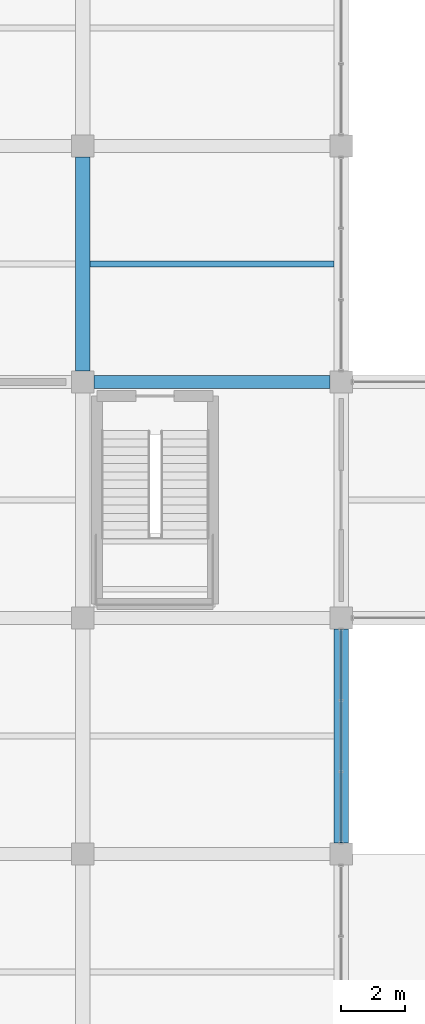
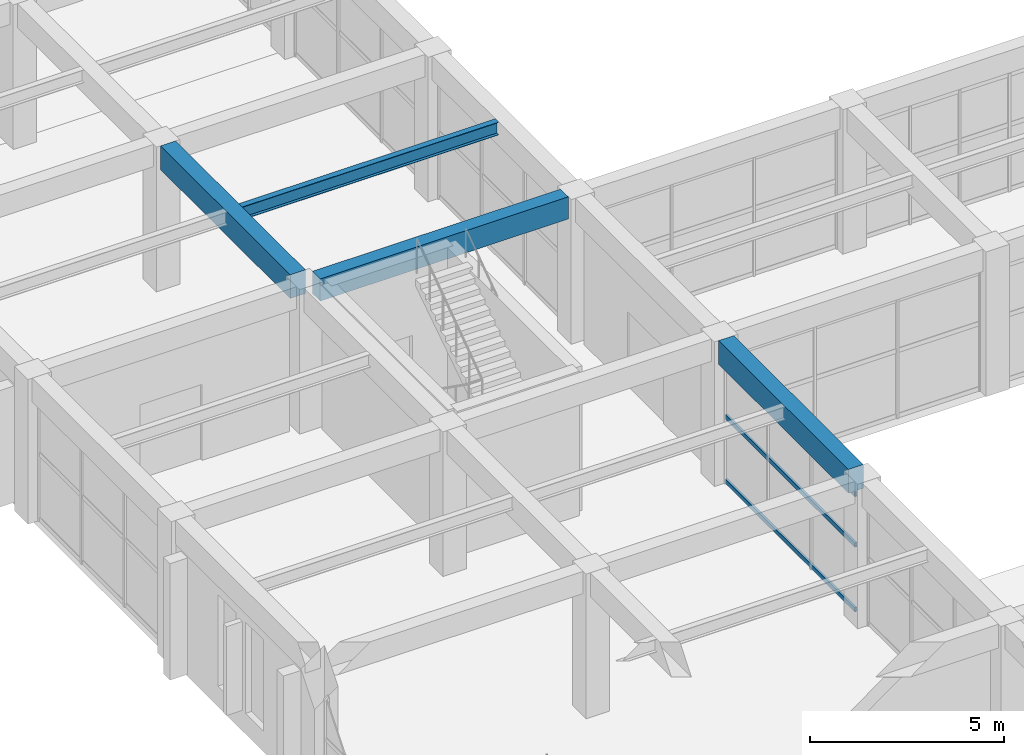
# One storey, part 28 of 161: 4 beams, 3 members, 1 element without a shape of its own.
"""IFC4 building model written with IfcOpenShell, lengths in metres."""

from ifc_helpers import new_model, si_unit, direction, frame, origin, origin_2d, place, context, subcontext, project, spatial, rectangle, hollow_rectangle, i_section, extrude, material, material_profile, profile_set, type_object, element, aggregate, save


model = new_model("IFC4")

# Units and contexts
model_context = context("Model", 3, precision=1e-05, world=origin(), true_north=direction((0.0, 1.0)))
body_context = subcontext(model_context, "Body", "Model", "MODEL_VIEW")
ifc_project = project(units=[si_unit("LENGTHUNIT", "METRE"), si_unit("AREAUNIT", "SQUARE_METRE"), si_unit("VOLUMEUNIT", "CUBIC_METRE"), si_unit("PLANEANGLEUNIT", "RADIAN"), si_unit("MASSUNIT", "GRAM", prefix="KILO")], contexts=[model_context])

# Site, building, storey
site_placement = place(None, origin())
site = spatial("IfcSite", under=ifc_project, at=site_placement, CompositionType="ELEMENT")
building_placement = place(site_placement, origin())
building = spatial("IfcBuilding", under=site, at=building_placement, Name="Cimatlan Art Gallery", CompositionType="ELEMENT")
storey_placement = place(building_placement, frame((0.0, 0.0, 5.39990234375)))
storey = spatial("IfcBuildingStorey", under=building, at=storey_placement, Name="L01", CompositionType="ELEMENT", Elevation=5.39990234375)

# Beams
ifc_material_1 = material(Name="Concrete C40/50", Category="concrete")
ifc_material_profile_1 = material_profile(ifc_material_1, rectangle(XDim=0.39990234375, YDim=0.699951171875, at=origin_2d()), Name="RC400X700")
ifc_profile_set_1 = profile_set([ifc_material_profile_1], Name="Concrete C40/50")
beam_type_1 = type_object("IfcBeamType", Name="BM-RC-400X700", PredefinedType="BEAM", material=ifc_profile_set_1)
beam_1_placement = place(storey_placement, frame((42.85009765625, 60.89990234375, 4.210205078125), z_axis=(1.0, 0.0, 0.0), x_axis=(0.0, 1.0, 0.0)))
element("IfcBeam", 1, at=beam_1_placement, inside=storey, type_object=beam_type_1, Name="BM-X-L01-05-08", PredefinedType="BEAM", context=body_context, shape_type="SweptSolid", body=[
    extrude(rectangle(XDim=0.39990234375, YDim=0.699951171875, at=origin_2d()), origin(), (0.0, 0.0, 1.0), 7.39990234375),
])
ifc_material_profile_2 = material_profile(ifc_material_1, rectangle(XDim=0.449951171875, YDim=0.75, at=origin_2d()), Name="RC450X750")
ifc_profile_set_2 = profile_set([ifc_material_profile_2], Name="Concrete C40/50")
beam_type_2 = type_object("IfcBeamType", Name="BM-RC-450X750", PredefinedType="BEAM", material=ifc_profile_set_2)
for number, where, z_axis, x_axis, name in (
    (2, (42.5, 61.25, 4.18505859375), (0.0, 1.0, 0.0), (-1.0, 0.0, 0.0), "BM-Y-L01-05-08"),
    (3, (50.60009765625, 46.449951171875, 4.18505859375), (0.0, 1.0, 0.0), (-1.0, 0.0, 0.0), "BM-Y-L01-06-06"),
):
    element("IfcBeam", number, at=place(storey_placement, frame(where, z_axis=z_axis, x_axis=x_axis)), inside=storey, type_object=beam_type_2, Name=name, PredefinedType="BEAM", context=body_context, shape_type="SweptSolid", body=[
        extrude(rectangle(XDim=0.449951171875, YDim=0.75, at=origin_2d()), origin(), (0.0, 0.0, 1.0), 6.699951171875),
    ])
ifc_material_2 = material(Name="Steel ASTM A992 Grade 50", Category="steel")
ifc_material_profile_3 = material_profile(ifc_material_2, i_section(OverallWidth=0.177978515625, OverallDepth=0.406982421875, WebThickness=0.0078125, FlangeThickness=0.0126953125, at=origin_2d()), Name="W16X40")
ifc_profile_set_3 = profile_set([ifc_material_profile_3], Name="Steel ASTM A992 Grade 50")
beam_type_3 = type_object("IfcBeamType", Name="BM-STL-W16X40", PredefinedType="JOIST", material=ifc_profile_set_3)
beam_2_placement = place(storey_placement, frame((42.72509765625, 64.60009765625, 4.356689453125), z_axis=(1.0, 0.0, 0.0), x_axis=(0.0, 1.0, 0.0)))
element("IfcBeam", 4, at=beam_2_placement, inside=storey, type_object=beam_type_3, Name="JST-L01-05-08", PredefinedType="JOIST", context=body_context, shape_type="SweptSolid", body=[
    extrude(i_section(OverallWidth=0.177978515625, OverallDepth=0.406982421875, WebThickness=0.0078125, FlangeThickness=0.0126953125, at=origin_2d()), origin(), (0.0, 0.0, 1.0), 7.64990234375),
])

# Curtain wall, members
ifc_material_3 = material(Name="Anodised bronze unitised curtain wall")
curtain_wall_type = type_object("IfcCurtainWallType", Name="CW-V-06692X03750-B3", PredefinedType="NOTDEFINED", material=ifc_material_3)
curtain_wall_placement = place(storey_placement, origin())
curtain_wall = element("IfcCurtainWall", 5, at=curtain_wall_placement, inside=storey, type_object=curtain_wall_type, Name="CW-L01-05-06-E", PredefinedType="NOTDEFINED")
ifc_material_4 = material(Name="Anodised bronze aluminium 6063-T6", Category="aluminium")
ifc_material_profile_4 = material_profile(ifc_material_4, hollow_rectangle(XDim=0.06494140625, YDim=0.139892578125, WallThickness=0.00390625, at=origin_2d()), Name="ALU65X140X4")
ifc_profile_set_4 = profile_set([ifc_material_profile_4], Name="Anodised bronze aluminium 6063-T6")
member_type = type_object("IfcMemberType", Name="CW-TRN-140", PredefinedType="USERDEFINED", material=ifc_profile_set_4)
member_1_placement = place(storey_placement, frame((50.60009765625, 53.14599609375, 0.06005859375), z_axis=(0.0, -1.0, 0.0), x_axis=(1.0, 0.0, 0.0)))
member_1 = element("IfcMember", 6, at=member_1_placement, type_object=member_type, Name="CW-L01-05-06-E-T1", ObjectType="TRANSOM", PredefinedType="USERDEFINED", context=body_context, shape_type="SweptSolid", body=[
    extrude(hollow_rectangle(XDim=0.06494140625, YDim=0.139892578125, WallThickness=0.00390625, at=origin_2d()), origin(), (0.0, 0.0, 1.0), 6.69189453125),
])
member_2_placement = place(storey_placement, frame((50.60009765625, 53.14599609375, 2.10009765625), z_axis=(0.0, -1.0, 0.0), x_axis=(1.0, 0.0, 0.0)))
member_2 = element("IfcMember", 7, at=member_2_placement, type_object=member_type, Name="CW-L01-05-06-E-T2", ObjectType="TRANSOM", PredefinedType="USERDEFINED", context=body_context, shape_type="SweptSolid", body=[
    extrude(hollow_rectangle(XDim=0.06494140625, YDim=0.139892578125, WallThickness=0.00390625, at=origin_2d()), origin(), (0.0, 0.0, 1.0), 6.69189453125),
])
member_3_placement = place(storey_placement, frame((50.60009765625, 53.14599609375, 3.690185546875), z_axis=(0.0, -1.0, 0.0), x_axis=(1.0, 0.0, 0.0)))
member_3 = element("IfcMember", 8, at=member_3_placement, type_object=member_type, Name="CW-L01-05-06-E-T3", ObjectType="TRANSOM", PredefinedType="USERDEFINED", context=body_context, shape_type="SweptSolid", body=[
    extrude(hollow_rectangle(XDim=0.06494140625, YDim=0.139892578125, WallThickness=0.00390625, at=origin_2d()), origin(), (0.0, 0.0, 1.0), 6.69189453125),
])
aggregate(curtain_wall, [member_1, member_2, member_3])

save(model, "model.ifc")
